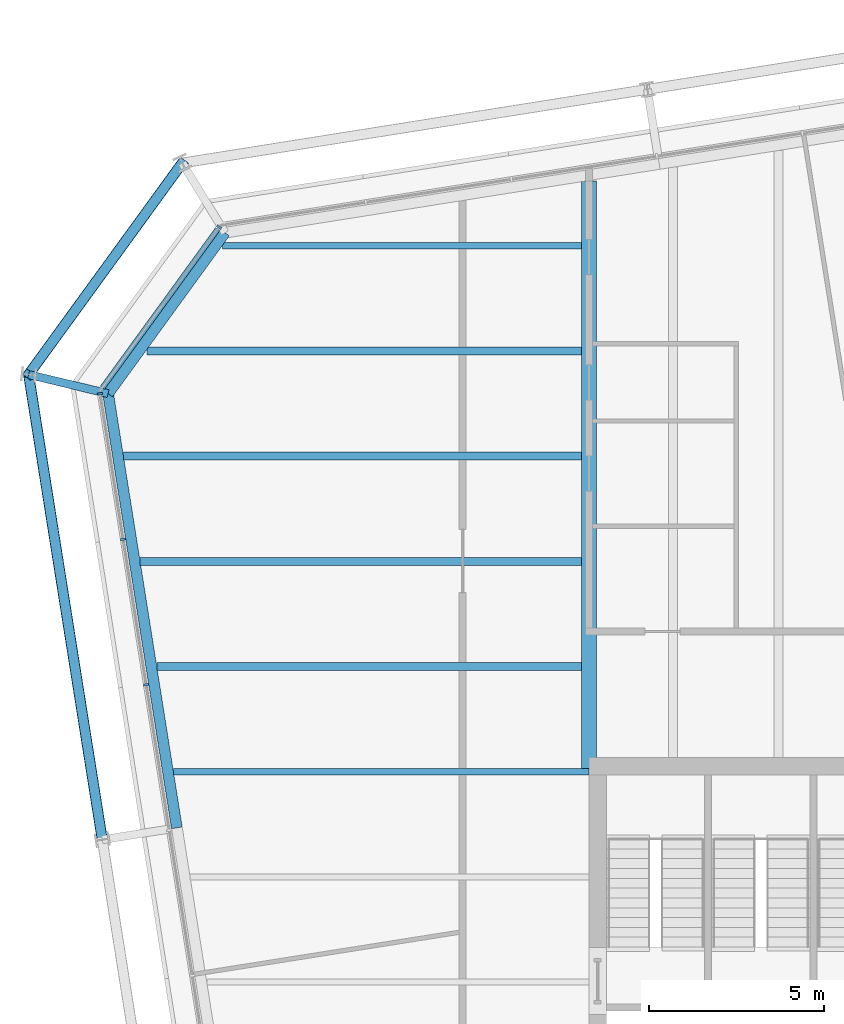
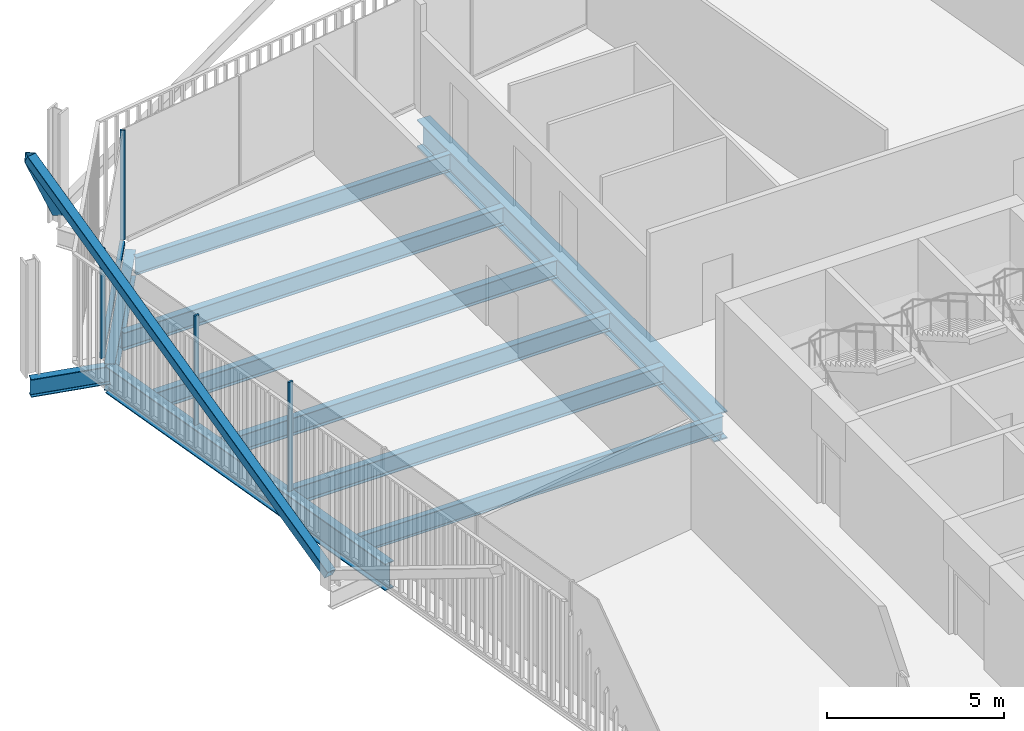
# One storey, part 11 of 21: 10 beams, 7 members, 2 elements without a shape of their own.
"""IFC4 building model written with IfcOpenShell, lengths in metres."""

import ifcopenshell
import ifcopenshell.guid

model = None  # the IFC model being written
_history = None  # IfcOwnerHistory: only IFC2X3 demands one
_inside = {}  # id of a spatial element -> (the spatial element, [elements in it])
_under = {}  # id of a project, library or spatial element -> (it, [spatial elements below it])
_declared = {}  # id of a project -> (the project, [libraries it declares])
_typed = {}  # id of a type object -> (the type object, [elements of that type])
_made_of = {}  # id of a material, layer set ... -> (it, [elements and type objects made of it])


def new_model(schema):
    """Start an empty IFC model of exactly this schema.

    Asked for "IFC4X3", IfcOpenShell would pick the latest addendum, in which some entities
    have other attributes; the version numbers below select the first issue.
    IFC2X3 requires an IfcOwnerHistory on every rooted entity: one is made here for all.
    """
    global model, _history
    if schema == "IFC4X3":
        model = ifcopenshell.file(schema_version=(4, 3, 0, 0))
    else:
        model = ifcopenshell.file(schema=schema)
    _inside.clear()
    _under.clear()
    _declared.clear()
    _typed.clear()
    _made_of.clear()
    _history = None
    if model.schema == "IFC2X3":
        org = make("IfcOrganization", Name="unknown")
        user = make(
            "IfcPersonAndOrganization",
            ThePerson=make("IfcPerson", FamilyName="unknown"),
            TheOrganization=org,
        )
        app = make(
            "IfcApplication",
            ApplicationDeveloper=org,
            Version="unknown",
            ApplicationFullName="unknown",
            ApplicationIdentifier="unknown",
        )
        _history = make(
            "IfcOwnerHistory",
            OwningUser=user,
            OwningApplication=app,
            ChangeAction="ADDED",
            CreationDate=0,
        )
    return model


def make(cls, **values):
    """One entity of the class cls with the attributes given. An attribute that is None is left unset."""
    return model.create_entity(
        cls, **{name: value for name, value in values.items() if value is not None}
    )


def rooted(cls, **values):
    """An entity with a GlobalId (a new one), such as an element, a storey or a relation."""
    return make(cls, GlobalId=ifcopenshell.guid.new(), OwnerHistory=_history, **values)


def si_unit(unit_type, name, prefix=None):
    """IfcSIUnit, for example si_unit("LENGTHUNIT", "METRE", prefix="MILLI")."""
    return make("IfcSIUnit", UnitType=unit_type, Prefix=prefix, Name=name)


def assignment(units):
    """IfcUnitAssignment: the units of a project."""
    return None if units is None else make("IfcUnitAssignment", Units=units)


def point(xyz):
    """IfcCartesianPoint."""
    return None if xyz is None else make("IfcCartesianPoint", Coordinates=xyz)


def direction(xyz):
    """IfcDirection."""
    return None if xyz is None else make("IfcDirection", DirectionRatios=xyz)


def frame(location, z_axis=None, x_axis=None):
    """IfcAxis2Placement3D, a coordinate frame: its origin and axes. An axis left out is left unset."""
    return make(
        "IfcAxis2Placement3D",
        Location=point(location),
        Axis=direction(z_axis),
        RefDirection=direction(x_axis),
    )


def frame_2d(location, x_axis=None):
    """IfcAxis2Placement2D, a coordinate frame in the plane: its origin and x axis."""
    return make(
        "IfcAxis2Placement2D", Location=point(location), RefDirection=direction(x_axis)
    )


def origin():
    """The frame at (0, 0, 0) with its axes left unset."""
    return frame((0.0, 0.0, 0.0))


def origin_2d():
    """The frame at (0, 0) in the plane with its x axis left unset."""
    return frame_2d((0.0, 0.0))


def place(relative_to, where):
    """IfcLocalPlacement: puts the frame where relative to a parent placement (None: the world)."""
    return make(
        "IfcLocalPlacement", PlacementRelTo=relative_to, RelativePlacement=where
    )


def context(
    kind, dimensions, precision=None, world=None, true_north=None, identifier=None
):
    """IfcGeometricRepresentationContext, for example the 3D "Model" context."""
    return make(
        "IfcGeometricRepresentationContext",
        ContextIdentifier=identifier,
        ContextType=kind,
        CoordinateSpaceDimension=dimensions,
        Precision=precision,
        WorldCoordinateSystem=world,
        TrueNorth=true_north,
    )


def subcontext(parent, identifier, kind, view, scale=None):
    """IfcGeometricRepresentationSubContext, for example "Body" below "Model"."""
    return make(
        "IfcGeometricRepresentationSubContext",
        ContextIdentifier=identifier,
        ContextType=kind,
        ParentContext=parent,
        TargetScale=scale,
        TargetView=view,
    )


def project(units=None, contexts=None):
    """IfcProject with its units and contexts."""
    return rooted(
        "IfcProject",
        Name="project",
        RepresentationContexts=contexts,
        UnitsInContext=assignment(units),
    )


def spatial(cls, under=None, at=None, **own):
    """A site, building, storey or space (cls), placed at a placement, below another one or the project."""
    s = rooted(cls, ObjectPlacement=at, **own)
    if under is not None:
        _under.setdefault(under.id(), (under, []))[1].append(s)
    return s


def profile(cls, at=None, kind="AREA", **sizes):
    """A parametric profile (cls). Its sizes go by their IFC names, for example OverallWidth=200.0."""
    return make(cls, ProfileType=kind, Position=at, **sizes)


def rectangle(**sizes):
    """IfcRectangleProfileDef."""
    return profile("IfcRectangleProfileDef", **sizes)


def hollow_rectangle(**sizes):
    """IfcRectangleHollowProfileDef."""
    return profile("IfcRectangleHollowProfileDef", **sizes)


def i_section(**sizes):
    """IfcIShapeProfileDef."""
    return profile("IfcIShapeProfileDef", **sizes)


def extrude(swept, where, along, depth):
    """IfcExtrudedAreaSolid: the profile swept, set in the frame where, extruded along a direction by depth."""
    return make(
        "IfcExtrudedAreaSolid",
        SweptArea=swept,
        Position=where,
        ExtrudedDirection=direction(along),
        Depth=depth,
    )


def shape(context_of_items, identifier, shape_type, items):
    """IfcShapeRepresentation: the items that make up one representation, for example the "Body"."""
    return make(
        "IfcShapeRepresentation",
        ContextOfItems=context_of_items,
        RepresentationIdentifier=identifier,
        RepresentationType=shape_type,
        Items=items,
    )


def material(Name=None, Category=None):
    """IfcMaterial."""
    return make("IfcMaterial", Name=Name, Category=Category)


def layer(
    of_material, thickness, ventilated=None, Name=None, Category=None, Priority=None
):
    """IfcMaterialLayer: one layer of a wall or slab, of a material (None: an air gap)."""
    return make(
        "IfcMaterialLayer",
        Material=of_material,
        LayerThickness=thickness,
        IsVentilated=ventilated,
        Name=Name,
        Category=Category,
        Priority=Priority,
    )


def layer_set(layers, Name=None):
    """IfcMaterialLayerSet."""
    return make("IfcMaterialLayerSet", MaterialLayers=layers, LayerSetName=Name)


def material_profile(
    of_material, cross_section, Name=None, Category=None, Priority=None
):
    """IfcMaterialProfile: a cross section and its material."""
    return make(
        "IfcMaterialProfile",
        Name=Name,
        Material=of_material,
        Profile=cross_section,
        Priority=Priority,
        Category=Category,
    )


def profile_set(profiles, Name=None, composite=None):
    """IfcMaterialProfileSet."""
    return make(
        "IfcMaterialProfileSet",
        Name=Name,
        MaterialProfiles=profiles,
        CompositeProfile=composite,
    )


def made_of(thing, what):
    """Note that an element or type object is made of a material, layer set ...; save() writes the relation."""
    if what is not None:
        _made_of.setdefault(what.id(), (what, []))[1].append(thing)
    return thing


def type_object(cls, material=None, **own):
    """A type object (cls), such as IfcWallType, which elements share."""
    return made_of(rooted(cls, **own), material)


def element(
    cls,
    number,
    at=None,
    inside=None,
    cuts=None,
    type_object=None,
    material=None,
    context=None,
    identifier="Body",
    shape_type=None,
    held_by="IfcProductDefinitionShape",
    body=None,
    shapes=None,
    **own,
):
    """One element of the class cls, such as IfcWall. Its Tag is "e" and its number.

    at: its placement. inside: the storey or other place that contains it. cuts: it is an
    opening in that element (IfcRelVoidsElement). A single representation is given by context,
    identifier, shape_type and body (its items); several are given by shapes. held_by: the class
    of the entity that holds the representations. save() writes the other relations.
    """
    e = rooted(cls, Tag="e%d" % number, ObjectPlacement=at, **own)
    if body is not None:
        shapes = [shape(context, identifier, shape_type, body)]
    if shapes is not None:
        e.Representation = make(held_by, Representations=shapes)
    if inside is not None:
        _inside.setdefault(inside.id(), (inside, []))[1].append(e)
    if cuts is not None:
        rooted(
            "IfcRelVoidsElement", RelatingBuildingElement=cuts, RelatedOpeningElement=e
        )
    if type_object is not None:
        _typed.setdefault(type_object.id(), (type_object, []))[1].append(e)
    return made_of(e, material)


def aggregate(whole, parts):
    """IfcRelAggregates: a whole, such as a stair, and the parts it consists of."""
    return rooted("IfcRelAggregates", RelatingObject=whole, RelatedObjects=parts)


def save(model, path):
    """Write the relations noted so far, then the file.

    IfcRelAggregates (storeys below a building ...), IfcRelContainedInSpatialStructure (elements
    in a storey), IfcRelDefinesByType, IfcRelAssociatesMaterial and IfcRelDeclares: one each for
    every whole, place, type object, material and project.
    """
    for whole, parts in _under.values():
        aggregate(whole, parts)
    for where, things in _inside.values():
        rooted(
            "IfcRelContainedInSpatialStructure",
            RelatedElements=things,
            RelatingStructure=where,
        )
    for kind, things in _typed.values():
        rooted("IfcRelDefinesByType", RelatedObjects=things, RelatingType=kind)
    for what, things in _made_of.values():
        rooted("IfcRelAssociatesMaterial", RelatedObjects=things, RelatingMaterial=what)
    for by, libraries in _declared.values():
        rooted("IfcRelDeclares", RelatingContext=by, RelatedDefinitions=libraries)
    model.write(path)


model = new_model("IFC4")

# Units and contexts
model_context = context("Model", 3, precision=1e-05, world=origin(), true_north=direction((0.0, 1.0)))
body_context = subcontext(model_context, "Body", "Model", "MODEL_VIEW")
ifc_project = project(units=[si_unit("LENGTHUNIT", "METRE"), si_unit("AREAUNIT", "SQUARE_METRE"), si_unit("VOLUMEUNIT", "CUBIC_METRE"), si_unit("PLANEANGLEUNIT", "RADIAN"), si_unit("MASSUNIT", "GRAM", prefix="KILO")], contexts=[model_context])

# Site, building, storey
site_placement = place(None, origin())
site = spatial("IfcSite", under=ifc_project, at=site_placement, CompositionType="ELEMENT")
building_placement = place(site_placement, origin())
building = spatial("IfcBuilding", under=site, at=building_placement, Name="Millrace Tower", CompositionType="ELEMENT")
storey_placement = place(building_placement, frame((0.0, 0.0, 220.300048828125)))
storey = spatial("IfcBuildingStorey", under=building, at=storey_placement, Name="L50", CompositionType="ELEMENT", Elevation=220.300048828125)

# Curtain wall, member
ifc_material_1 = material(Name="Aluminium and glass", Category="aluminium")
ifc_layer = layer(ifc_material_1, 0.14990234375)
ifc_layer_set = layer_set([ifc_layer], Name="Aluminium and glass")
curtain_wall_type = type_object("IfcCurtainWallType", Name="CW-1 office vision curtain wall", PredefinedType="NOTDEFINED", material=ifc_layer_set)
placement = place(storey_placement, origin())
curtain_wall_1 = element("IfcCurtainWall", 1, at=placement, inside=storey, type_object=curtain_wall_type, Name="Curtain wall D-F07 L50", PredefinedType="NOTDEFINED")
ifc_material_2 = material(Name="Aluminium", Category="aluminium")
ifc_material_profile_1 = material_profile(ifc_material_2, rectangle(XDim=0.06494140625, YDim=0.14990234375, at=origin_2d()))
ifc_profile_set_1 = profile_set([ifc_material_profile_1], Name="Aluminium")
member_type_1 = type_object("IfcMemberType", Name="CW-1 office vision curtain wall mullion", PredefinedType="MULLION", material=ifc_profile_set_1)
member_1_placement = place(storey_placement, frame((-24.945068359375, 24.528076171875, 0.139892578125), z_axis=(0.0, 0.0, 1.0), x_axis=(-0.587785305991, -0.809016955361, 0.0)))
member_1 = element("IfcMember", 2, at=member_1_placement, type_object=member_type_1, Name="CW1 mullion D-F07.1", PredefinedType="MULLION", context=body_context, shape_type="SweptSolid", body=[
    extrude(rectangle(XDim=0.06494140625, YDim=0.14990234375, at=origin_2d()), origin(), (0.0, 0.0, 1.0), 3.760009765625),
])

# Curtain wall, members
curtain_wall_2 = element("IfcCurtainWall", 3, at=placement, inside=storey, type_object=curtain_wall_type, Name="Curtain wall D-F08 L50", PredefinedType="NOTDEFINED")
member_2_placement = place(storey_placement, frame((-28.342529296875, 19.775390625, 0.139892578125), z_axis=(0.0, 0.0, 1.0), x_axis=(0.156434471884, -0.987688339511, 0.0)))
member_2 = element("IfcMember", 4, at=member_2_placement, type_object=member_type_1, Name="CW1 mullion D-F08.1", PredefinedType="MULLION", context=body_context, shape_type="SweptSolid", body=[
    extrude(rectangle(XDim=0.06494140625, YDim=0.14990234375, at=origin_2d()), origin(), (0.0, 0.0, 1.0), 3.760009765625),
])
member_3_placement = place(storey_placement, frame((-27.685302734375, 15.627197265625, 0.139892578125), z_axis=(0.0, 0.0, 1.0), x_axis=(0.156434471884, -0.987688339511, 0.0)))
member_3 = element("IfcMember", 5, at=member_3_placement, type_object=member_type_1, Name="CW1 mullion D-F08.2", PredefinedType="MULLION", context=body_context, shape_type="SweptSolid", body=[
    extrude(rectangle(XDim=0.06494140625, YDim=0.14990234375, at=origin_2d()), origin(), (0.0, 0.0, 1.0), 3.760009765625),
])
member_4_placement = place(storey_placement, frame((-27.0283203125, 11.47900390625, 0.139892578125), z_axis=(0.0, 0.0, 1.0), x_axis=(0.156434471884, -0.987688339511, 0.0)))
member_4 = element("IfcMember", 6, at=member_4_placement, type_object=member_type_1, Name="CW1 mullion D-F08.3", PredefinedType="MULLION", context=body_context, shape_type="SweptSolid", body=[
    extrude(rectangle(XDim=0.06494140625, YDim=0.14990234375, at=origin_2d()), origin(), (0.0, 0.0, 1.0), 3.760009765625),
])
aggregate(curtain_wall_2, [member_2, member_3, member_4])

# Member
ifc_material_3 = material(Name="Aluminium", Category="aluminium")
ifc_material_profile_2 = material_profile(ifc_material_3, rectangle(XDim=0.14990234375, YDim=0.139892578125, at=origin_2d()))
ifc_profile_set_2 = profile_set([ifc_material_profile_2], Name="Aluminium")
member_type_2 = type_object("IfcMemberType", Name="CW-1 office vision curtain wall transom", PredefinedType="USERDEFINED", material=ifc_profile_set_2)
member_5_placement = place(storey_placement, frame((-24.98486328125, 24.473388671875, 0.070068359375), z_axis=(-0.587782670904, -0.809018869857, 0.0), x_axis=(0.809018869857, -0.587782670904, 0.0)))
member_5 = element("IfcMember", 7, at=member_5_placement, type_object=member_type_2, Name="CW1 transom D-F07.1", ObjectType="TRANSOM", PredefinedType="USERDEFINED", context=body_context, shape_type="SweptSolid", body=[
    extrude(rectangle(XDim=0.14990234375, YDim=0.139892578125, at=origin_2d()), origin(), (0.0, 0.0, 1.0), 5.59814453125),
])

aggregate(curtain_wall_1, [member_1, member_5])

# Members
ifc_material_4 = material(Name="Steel ASTM A500 Grade C", Category="steel")
ifc_material_profile_3 = material_profile(ifc_material_4, hollow_rectangle(XDim=0.3046875, YDim=0.3046875, WallThickness=0.0126953125, InnerFilletRadius=0.00634765625, OuterFilletRadius=0.01904296875, at=origin_2d()))
ifc_profile_set_3 = profile_set([ifc_material_profile_3], Name="Steel ASTM A500 Grade C")
member_type_3 = type_object("IfcMemberType", Name="Exoskeleton brace HSS12x12x1/2", PredefinedType="BRACE", material=ifc_profile_set_3)
member_6_placement = place(storey_placement, frame((-25.996337890625, 26.35595703125, 0.39990234375), z_axis=(-0.42850795905, -0.589774395252, 0.684504997598), x_axis=(0.809009310944, -0.587795827483, 0.0)))
element("IfcMember", 8, at=member_6_placement, inside=storey, type_object=member_type_3, Name="BRC-D-L50-13", PredefinedType="BRACE", context=body_context, shape_type="SweptSolid", body=[
    extrude(hollow_rectangle(XDim=0.3046875, YDim=0.3046875, WallThickness=0.0126953125, InnerFilletRadius=0.00634765625, OuterFilletRadius=0.01904296875, at=origin_2d()), origin(), (0.0, 0.0, 1.0), 10.226318359375),
])
member_7_placement = place(storey_placement, frame((-28.27783203125, 7.0615234375, 0.39990234375), z_axis=(-0.138712380788, 0.87583551821, 0.462245627841), x_axis=(-0.987689444837, -0.156427492975, 0.0)))
element("IfcMember", 9, at=member_7_placement, inside=storey, type_object=member_type_3, Name="BRC-D-L50-14", PredefinedType="BRACE", context=body_context, shape_type="SweptSolid", body=[
    extrude(hollow_rectangle(XDim=0.3046875, YDim=0.3046875, WallThickness=0.0126953125, InnerFilletRadius=0.00634765625, OuterFilletRadius=0.01904296875, at=origin_2d()), origin(), (0.0, 0.0, 1.0), 15.1435546875),
])

# Beams
ifc_material_5 = material(Name="Steel ASTM A992 Grade 50", Category="steel")
ifc_material_profile_4 = material_profile(ifc_material_5, i_section(OverallWidth=0.1787109375, OverallDepth=0.60205078125, WebThickness=0.010986328125, FlangeThickness=0.014892578125, FilletRadius=0.0126953125, at=origin_2d()))
ifc_profile_set_4 = profile_set([ifc_material_profile_4], Name="Steel ASTM A992 Grade 50")
beam_type_1 = type_object("IfcBeamType", Name="Floor beam W24x62", PredefinedType="JOIST", material=ifc_profile_set_4)
beam_1_placement = place(storey_placement, frame((-26.248779296875, 9.0, -0.4609375), z_axis=(1.0, 0.0, 0.0), x_axis=(0.0, 1.0, 0.0)))
element("IfcBeam", 10, at=beam_1_placement, inside=storey, type_object=beam_type_1, Name="BM-D-L50-S1-S023", PredefinedType="JOIST", context=body_context, shape_type="SweptSolid", body=[
    extrude(i_section(OverallWidth=0.1787109375, OverallDepth=0.60205078125, WebThickness=0.010986328125, FlangeThickness=0.014892578125, FilletRadius=0.0126953125, at=origin_2d()), origin(), (0.0, 0.0, 1.0), 11.848876953125),
])
beam_2_placement = place(storey_placement, frame((-24.843994140625, 24.0, -0.4609375), z_axis=(1.0, 0.0, 0.0), x_axis=(0.0, 1.0, 0.0)))
element("IfcBeam", 11, at=beam_2_placement, inside=storey, type_object=beam_type_1, Name="BM-D-L50-S1-S033", PredefinedType="JOIST", context=body_context, shape_type="SweptSolid", body=[
    extrude(i_section(OverallWidth=0.1787109375, OverallDepth=0.60205078125, WebThickness=0.010986328125, FlangeThickness=0.014892578125, FilletRadius=0.0126953125, at=origin_2d()), origin(), (0.0, 0.0, 1.0), 10.234375),
])
ifc_material_6 = material(Name="Steel ASTM A992 Grade 50", Category="steel")
ifc_material_profile_5 = material_profile(ifc_material_6, i_section(OverallWidth=0.228271484375, OverallDepth=0.607177734375, WebThickness=0.01123046875, FlangeThickness=0.017333984375, FilletRadius=0.0126953125, at=origin_2d()))
ifc_profile_set_5 = profile_set([ifc_material_profile_5], Name="Steel ASTM A992 Grade 50")
beam_type_2 = type_object("IfcBeamType", Name="Floor beam W24x76", PredefinedType="JOIST", material=ifc_profile_set_5)
beam_3_placement = place(storey_placement, frame((-26.723876953125, 12.0, -0.463623046875), z_axis=(1.0, 0.0, 0.0), x_axis=(0.0, 1.0, 0.0)))
element("IfcBeam", 12, at=beam_3_placement, inside=storey, type_object=beam_type_2, Name="BM-D-L50-S1-S025", PredefinedType="JOIST", context=body_context, shape_type="SweptSolid", body=[
    extrude(i_section(OverallWidth=0.228271484375, OverallDepth=0.607177734375, WebThickness=0.01123046875, FlangeThickness=0.017333984375, FilletRadius=0.0126953125, at=origin_2d()), origin(), (0.0, 0.0, 1.0), 12.1142578125),
])
beam_4_placement = place(storey_placement, frame((-27.198974609375, 15.0, -0.463623046875), z_axis=(1.0, 0.0, 0.0), x_axis=(0.0, 1.0, 0.0)))
element("IfcBeam", 13, at=beam_4_placement, inside=storey, type_object=beam_type_2, Name="BM-D-L50-S1-S027", PredefinedType="JOIST", context=body_context, shape_type="SweptSolid", body=[
    extrude(i_section(OverallWidth=0.228271484375, OverallDepth=0.607177734375, WebThickness=0.01123046875, FlangeThickness=0.017333984375, FilletRadius=0.0126953125, at=origin_2d()), origin(), (0.0, 0.0, 1.0), 12.58935546875),
])
beam_5_placement = place(storey_placement, frame((-27.674072265625, 18.0, -0.463623046875), z_axis=(1.0, 0.0, 0.0), x_axis=(0.0, 1.0, 0.0)))
element("IfcBeam", 14, at=beam_5_placement, inside=storey, type_object=beam_type_2, Name="BM-D-L50-S1-S029", PredefinedType="JOIST", context=body_context, shape_type="SweptSolid", body=[
    extrude(i_section(OverallWidth=0.228271484375, OverallDepth=0.607177734375, WebThickness=0.01123046875, FlangeThickness=0.017333984375, FilletRadius=0.0126953125, at=origin_2d()), origin(), (0.0, 0.0, 1.0), 13.064453125),
])
beam_6_placement = place(storey_placement, frame((-27.0078125, 21.0, -0.463623046875), z_axis=(1.0, 0.0, 0.0), x_axis=(0.0, 1.0, 0.0)))
element("IfcBeam", 15, at=beam_6_placement, inside=storey, type_object=beam_type_2, Name="BM-D-L50-S1-S031", PredefinedType="JOIST", context=body_context, shape_type="SweptSolid", body=[
    extrude(i_section(OverallWidth=0.228271484375, OverallDepth=0.607177734375, WebThickness=0.01123046875, FlangeThickness=0.017333984375, FilletRadius=0.0126953125, at=origin_2d()), origin(), (0.0, 0.0, 1.0), 12.398193359375),
])
ifc_material_7 = material(Name="Steel ASTM A992 Grade 50", Category="steel")
ifc_material_profile_6 = material_profile(ifc_material_7, i_section(OverallWidth=0.424072265625, OverallDepth=0.947509765625, WebThickness=0.02392578125, FlangeThickness=0.042724609375, FilletRadius=0.024169921875, at=origin_2d()))
ifc_profile_set_6 = profile_set([ifc_material_profile_6], Name="Steel ASTM A992 Grade 50")
beam_type_3 = type_object("IfcBeamType", Name="Girder medium span W36x302", PredefinedType="BEAM", material=ifc_profile_set_6)
beam_7_placement = place(storey_placement, frame((-14.39990234375, 9.092041015625, -0.6337890625), z_axis=(0.0, 1.0, 0.0), x_axis=(-1.0, 0.0, 0.0)))
element("IfcBeam", 16, at=beam_7_placement, inside=storey, type_object=beam_type_3, Name="BM-D-L50-S1-G054", PredefinedType="BEAM", context=body_context, shape_type="SweptSolid", body=[
    extrude(i_section(OverallWidth=0.424072265625, OverallDepth=0.947509765625, WebThickness=0.02392578125, FlangeThickness=0.042724609375, FilletRadius=0.024169921875, at=origin_2d()), origin(), (0.0, 0.0, 1.0), 16.756591796875),
])
ifc_material_8 = material(Name="Steel ASTM A992 Grade 50", Category="steel")
ifc_material_profile_7 = material_profile(ifc_material_8, i_section(OverallWidth=0.23046875, OverallDepth=0.6171875, WebThickness=0.01318359375, FlangeThickness=0.022216796875, FilletRadius=0.012939453125, at=origin_2d()))
ifc_profile_set_7 = profile_set([ifc_material_profile_7], Name="Steel ASTM A992 Grade 50")
beam_type_4 = type_object("IfcBeamType", Name="Link beam W24x94", PredefinedType="BEAM", material=ifc_profile_set_7)
beam_8_placement = place(storey_placement, frame((-28.11181640625, 19.780517578125, -0.46875), z_axis=(-0.972367333652, 0.233456138164, 0.0), x_axis=(-0.233456138164, -0.972367333652, 0.0)))
element("IfcBeam", 17, at=beam_8_placement, inside=storey, type_object=beam_type_4, Name="LNK-D-L50-S1-04", PredefinedType="BEAM", context=body_context, shape_type="SweptSolid", body=[
    extrude(i_section(OverallWidth=0.23046875, OverallDepth=0.6171875, WebThickness=0.01318359375, FlangeThickness=0.022216796875, FilletRadius=0.012939453125, at=origin_2d()), origin(), (0.0, 0.0, 1.0), 2.3310546875),
])
ifc_material_9 = material(Name="Steel ASTM A992 Grade 50", Category="steel")
ifc_material_profile_8 = material_profile(ifc_material_9, i_section(OverallWidth=0.307373046875, OverallDepth=0.927001953125, WebThickness=0.01953125, FlangeThickness=0.031982421875, FilletRadius=0.01904296875, at=origin_2d()))
ifc_profile_set_8 = profile_set([ifc_material_profile_8], Name="Steel ASTM A992 Grade 50")
beam_type_5 = type_object("IfcBeamType", Name="Ring beam medium span W36x194", PredefinedType="SPANDREL", material=ifc_profile_set_8)
beam_9_placement = place(storey_placement, frame((-26.150634765625, 7.3984375, -0.62353515625), z_axis=(-0.156438575049, 0.987687689625, 0.0), x_axis=(-0.987687689625, -0.156438575049, 0.0)))
element("IfcBeam", 18, at=beam_9_placement, inside=storey, type_object=beam_type_5, Name="RNG-D-L50-S1-03", PredefinedType="SPANDREL", context=body_context, shape_type="SweptSolid", body=[
    extrude(i_section(OverallWidth=0.307373046875, OverallDepth=0.927001953125, WebThickness=0.01953125, FlangeThickness=0.031982421875, FilletRadius=0.01904296875, at=origin_2d()), origin(), (0.0, 0.0, 1.0), 12.536376953125),
])
ifc_material_10 = material(Name="Steel ASTM A992 Grade 50", Category="steel")
ifc_material_profile_9 = material_profile(ifc_material_10, i_section(OverallWidth=0.307373046875, OverallDepth=0.927001953125, WebThickness=0.01953125, FlangeThickness=0.031982421875, FilletRadius=0.01904296875, at=origin_2d()))
ifc_profile_set_9 = profile_set([ifc_material_profile_9], Name="Steel ASTM A992 Grade 50")
beam_type_6 = type_object("IfcBeamType", Name="Ring beam short span W36x194", PredefinedType="SPANDREL", material=ifc_profile_set_9)
beam_10_placement = place(storey_placement, frame((-28.11181640625, 19.780517578125, -0.62353515625), z_axis=(0.587808154511, 0.809000354444, 0.0), x_axis=(-0.809000354444, 0.587808154511, 0.0)))
element("IfcBeam", 19, at=beam_10_placement, inside=storey, type_object=beam_type_6, Name="RNG-D-L50-S1-04", PredefinedType="SPANDREL", context=body_context, shape_type="SweptSolid", body=[
    extrude(i_section(OverallWidth=0.307373046875, OverallDepth=0.927001953125, WebThickness=0.01953125, FlangeThickness=0.031982421875, FilletRadius=0.01904296875, at=origin_2d()), origin(), (0.0, 0.0, 1.0), 5.671142578125),
])

save(model, "model.ifc")
